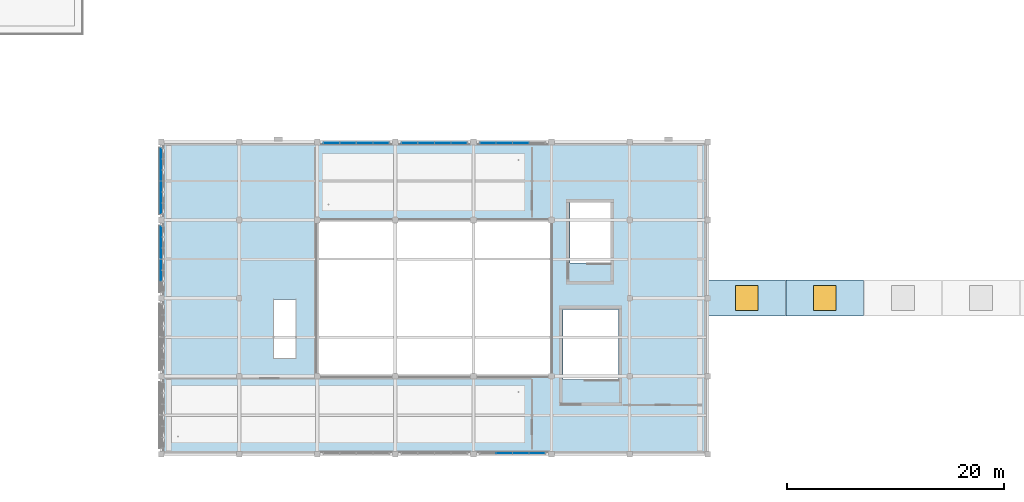
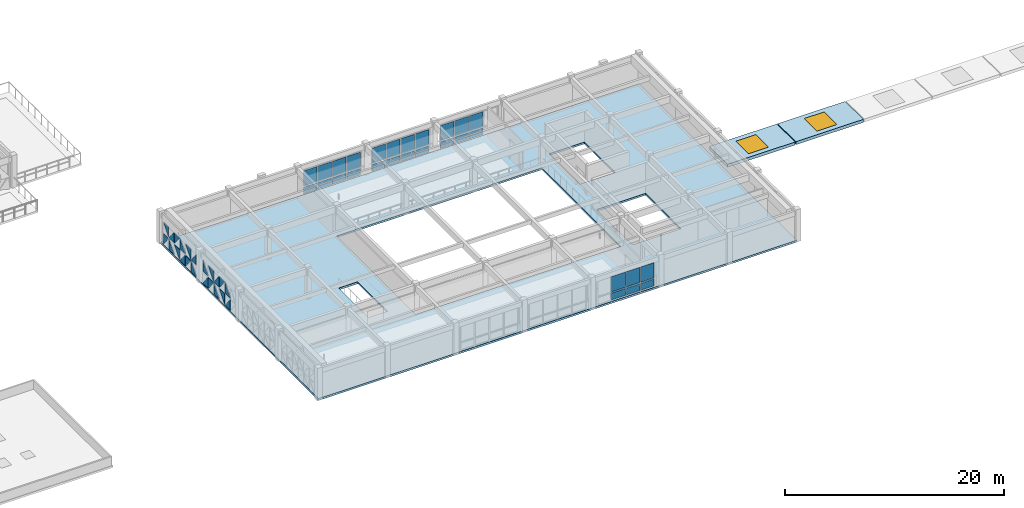
# One storey, part 31 of 74: 50 plates, 3 slabs, 2 windows, 2 openings, 6 elements without a shape of their own.
"""IFC4 building model written with IfcOpenShell, lengths in metres."""

import ifcopenshell
import ifcopenshell.guid

model = None  # the IFC model being written
_history = None  # IfcOwnerHistory: only IFC2X3 demands one
_inside = {}  # id of a spatial element -> (the spatial element, [elements in it])
_under = {}  # id of a project, library or spatial element -> (it, [spatial elements below it])
_declared = {}  # id of a project -> (the project, [libraries it declares])
_typed = {}  # id of a type object -> (the type object, [elements of that type])
_made_of = {}  # id of a material, layer set ... -> (it, [elements and type objects made of it])


def new_model(schema):
    """Start an empty IFC model of exactly this schema.

    Asked for "IFC4X3", IfcOpenShell would pick the latest addendum, in which some entities
    have other attributes; the version numbers below select the first issue.
    IFC2X3 requires an IfcOwnerHistory on every rooted entity: one is made here for all.
    """
    global model, _history
    if schema == "IFC4X3":
        model = ifcopenshell.file(schema_version=(4, 3, 0, 0))
    else:
        model = ifcopenshell.file(schema=schema)
    _inside.clear()
    _under.clear()
    _declared.clear()
    _typed.clear()
    _made_of.clear()
    _history = None
    if model.schema == "IFC2X3":
        org = make("IfcOrganization", Name="unknown")
        user = make(
            "IfcPersonAndOrganization",
            ThePerson=make("IfcPerson", FamilyName="unknown"),
            TheOrganization=org,
        )
        app = make(
            "IfcApplication",
            ApplicationDeveloper=org,
            Version="unknown",
            ApplicationFullName="unknown",
            ApplicationIdentifier="unknown",
        )
        _history = make(
            "IfcOwnerHistory",
            OwningUser=user,
            OwningApplication=app,
            ChangeAction="ADDED",
            CreationDate=0,
        )
    return model


def make(cls, **values):
    """One entity of the class cls with the attributes given. An attribute that is None is left unset."""
    return model.create_entity(
        cls, **{name: value for name, value in values.items() if value is not None}
    )


def rooted(cls, **values):
    """An entity with a GlobalId (a new one), such as an element, a storey or a relation."""
    return make(cls, GlobalId=ifcopenshell.guid.new(), OwnerHistory=_history, **values)


def si_unit(unit_type, name, prefix=None):
    """IfcSIUnit, for example si_unit("LENGTHUNIT", "METRE", prefix="MILLI")."""
    return make("IfcSIUnit", UnitType=unit_type, Prefix=prefix, Name=name)


def assignment(units):
    """IfcUnitAssignment: the units of a project."""
    return None if units is None else make("IfcUnitAssignment", Units=units)


def point(xyz):
    """IfcCartesianPoint."""
    return None if xyz is None else make("IfcCartesianPoint", Coordinates=xyz)


def direction(xyz):
    """IfcDirection."""
    return None if xyz is None else make("IfcDirection", DirectionRatios=xyz)


def frame(location, z_axis=None, x_axis=None):
    """IfcAxis2Placement3D, a coordinate frame: its origin and axes. An axis left out is left unset."""
    return make(
        "IfcAxis2Placement3D",
        Location=point(location),
        Axis=direction(z_axis),
        RefDirection=direction(x_axis),
    )


def frame_2d(location, x_axis=None):
    """IfcAxis2Placement2D, a coordinate frame in the plane: its origin and x axis."""
    return make(
        "IfcAxis2Placement2D", Location=point(location), RefDirection=direction(x_axis)
    )


def origin():
    """The frame at (0, 0, 0) with its axes left unset."""
    return frame((0.0, 0.0, 0.0))


def origin_2d():
    """The frame at (0, 0) in the plane with its x axis left unset."""
    return frame_2d((0.0, 0.0))


def place(relative_to, where):
    """IfcLocalPlacement: puts the frame where relative to a parent placement (None: the world)."""
    return make(
        "IfcLocalPlacement", PlacementRelTo=relative_to, RelativePlacement=where
    )


def context(
    kind, dimensions, precision=None, world=None, true_north=None, identifier=None
):
    """IfcGeometricRepresentationContext, for example the 3D "Model" context."""
    return make(
        "IfcGeometricRepresentationContext",
        ContextIdentifier=identifier,
        ContextType=kind,
        CoordinateSpaceDimension=dimensions,
        Precision=precision,
        WorldCoordinateSystem=world,
        TrueNorth=true_north,
    )


def subcontext(parent, identifier, kind, view, scale=None):
    """IfcGeometricRepresentationSubContext, for example "Body" below "Model"."""
    return make(
        "IfcGeometricRepresentationSubContext",
        ContextIdentifier=identifier,
        ContextType=kind,
        ParentContext=parent,
        TargetScale=scale,
        TargetView=view,
    )


def project(units=None, contexts=None):
    """IfcProject with its units and contexts."""
    return rooted(
        "IfcProject",
        Name="project",
        RepresentationContexts=contexts,
        UnitsInContext=assignment(units),
    )


def spatial(cls, under=None, at=None, **own):
    """A site, building, storey or space (cls), placed at a placement, below another one or the project."""
    s = rooted(cls, ObjectPlacement=at, **own)
    if under is not None:
        _under.setdefault(under.id(), (under, []))[1].append(s)
    return s


def polyline(points):
    """IfcPolyline through the points."""
    return make("IfcPolyline", Points=[point(p) for p in points])


def profile(cls, at=None, kind="AREA", **sizes):
    """A parametric profile (cls). Its sizes go by their IFC names, for example OverallWidth=200.0."""
    return make(cls, ProfileType=kind, Position=at, **sizes)


def rectangle(**sizes):
    """IfcRectangleProfileDef."""
    return profile("IfcRectangleProfileDef", **sizes)


def outline(outer, holes=None, kind="AREA"):
    """IfcArbitraryClosedProfileDef: a profile drawn as a closed curve; with holes, ...WithVoids."""
    if holes is None:
        return make("IfcArbitraryClosedProfileDef", ProfileType=kind, OuterCurve=outer)
    return make(
        "IfcArbitraryProfileDefWithVoids",
        ProfileType=kind,
        OuterCurve=outer,
        InnerCurves=holes,
    )


def extrude(swept, where, along, depth):
    """IfcExtrudedAreaSolid: the profile swept, set in the frame where, extruded along a direction by depth."""
    return make(
        "IfcExtrudedAreaSolid",
        SweptArea=swept,
        Position=where,
        ExtrudedDirection=direction(along),
        Depth=depth,
    )


def shape(context_of_items, identifier, shape_type, items):
    """IfcShapeRepresentation: the items that make up one representation, for example the "Body"."""
    return make(
        "IfcShapeRepresentation",
        ContextOfItems=context_of_items,
        RepresentationIdentifier=identifier,
        RepresentationType=shape_type,
        Items=items,
    )


def material(Name=None, Category=None):
    """IfcMaterial."""
    return make("IfcMaterial", Name=Name, Category=Category)


def layer(
    of_material, thickness, ventilated=None, Name=None, Category=None, Priority=None
):
    """IfcMaterialLayer: one layer of a wall or slab, of a material (None: an air gap)."""
    return make(
        "IfcMaterialLayer",
        Material=of_material,
        LayerThickness=thickness,
        IsVentilated=ventilated,
        Name=Name,
        Category=Category,
        Priority=Priority,
    )


def layer_set(layers, Name=None):
    """IfcMaterialLayerSet."""
    return make("IfcMaterialLayerSet", MaterialLayers=layers, LayerSetName=Name)


def made_of(thing, what):
    """Note that an element or type object is made of a material, layer set ...; save() writes the relation."""
    if what is not None:
        _made_of.setdefault(what.id(), (what, []))[1].append(thing)
    return thing


def type_object(cls, material=None, **own):
    """A type object (cls), such as IfcWallType, which elements share."""
    return made_of(rooted(cls, **own), material)


def element(
    cls,
    number,
    at=None,
    inside=None,
    cuts=None,
    type_object=None,
    material=None,
    context=None,
    identifier="Body",
    shape_type=None,
    held_by="IfcProductDefinitionShape",
    body=None,
    shapes=None,
    **own,
):
    """One element of the class cls, such as IfcWall. Its Tag is "e" and its number.

    at: its placement. inside: the storey or other place that contains it. cuts: it is an
    opening in that element (IfcRelVoidsElement). A single representation is given by context,
    identifier, shape_type and body (its items); several are given by shapes. held_by: the class
    of the entity that holds the representations. save() writes the other relations.
    """
    e = rooted(cls, Tag="e%d" % number, ObjectPlacement=at, **own)
    if body is not None:
        shapes = [shape(context, identifier, shape_type, body)]
    if shapes is not None:
        e.Representation = make(held_by, Representations=shapes)
    if inside is not None:
        _inside.setdefault(inside.id(), (inside, []))[1].append(e)
    if cuts is not None:
        rooted(
            "IfcRelVoidsElement", RelatingBuildingElement=cuts, RelatedOpeningElement=e
        )
    if type_object is not None:
        _typed.setdefault(type_object.id(), (type_object, []))[1].append(e)
    return made_of(e, material)


def fill(opening, filler):
    """IfcRelFillsElement: the door or window that sits in an opening."""
    return rooted(
        "IfcRelFillsElement",
        RelatingOpeningElement=opening,
        RelatedBuildingElement=filler,
    )


def aggregate(whole, parts):
    """IfcRelAggregates: a whole, such as a stair, and the parts it consists of."""
    return rooted("IfcRelAggregates", RelatingObject=whole, RelatedObjects=parts)


def save(model, path):
    """Write the relations noted so far, then the file.

    IfcRelAggregates (storeys below a building ...), IfcRelContainedInSpatialStructure (elements
    in a storey), IfcRelDefinesByType, IfcRelAssociatesMaterial and IfcRelDeclares: one each for
    every whole, place, type object, material and project.
    """
    for whole, parts in _under.values():
        aggregate(whole, parts)
    for where, things in _inside.values():
        rooted(
            "IfcRelContainedInSpatialStructure",
            RelatedElements=things,
            RelatingStructure=where,
        )
    for kind, things in _typed.values():
        rooted("IfcRelDefinesByType", RelatedObjects=things, RelatingType=kind)
    for what, things in _made_of.values():
        rooted("IfcRelAssociatesMaterial", RelatedObjects=things, RelatingMaterial=what)
    for by, libraries in _declared.values():
        rooted("IfcRelDeclares", RelatingContext=by, RelatedDefinitions=libraries)
    model.write(path)


model = new_model("IFC4")

# Units and contexts
model_context = context("Model", 3, precision=1e-05, world=origin(), true_north=direction((0.0, 1.0)))
body_context = subcontext(model_context, "Body", "Model", "MODEL_VIEW")
ifc_project = project(units=[si_unit("LENGTHUNIT", "METRE"), si_unit("AREAUNIT", "SQUARE_METRE"), si_unit("VOLUMEUNIT", "CUBIC_METRE"), si_unit("PLANEANGLEUNIT", "RADIAN"), si_unit("MASSUNIT", "GRAM", prefix="KILO")], contexts=[model_context])

# Site, building, storey
site_placement = place(None, origin())
site = spatial("IfcSite", under=ifc_project, at=site_placement, CompositionType="ELEMENT")
building_placement = place(site_placement, origin())
building = spatial("IfcBuilding", under=site, at=building_placement, Name="Alvorim Cloister Faculty of Sciences", CompositionType="ELEMENT")
storey_placement = place(building_placement, frame((0.0, 0.0, 15.75)))
storey = spatial("IfcBuildingStorey", under=building, at=storey_placement, Name="L04", CompositionType="ELEMENT", Elevation=15.75)

# Curtain wall, plates
ifc_material_1 = material(Name="Aluminium and Low-E Glass Curtain Wall", Category="aluminium")
curtain_wall_type_1 = type_object("IfcCurtainWallType", Name="CW-GLZ-6120x2850", PredefinedType="USERDEFINED", material=ifc_material_1)
curtain_wall_1_placement = place(storey_placement, origin())
curtain_wall_1 = element("IfcCurtainWall", 1, at=curtain_wall_1_placement, inside=storey, type_object=curtain_wall_type_1, Name="L04 Entrance and Atrium Glazed Curtain Wall CW-0203", ObjectType="UNITISED CURTAIN WALL", PredefinedType="USERDEFINED")
ifc_material_2 = material(Name="Double Low-E Laminated Glass", Category="glass")
ifc_layer_1 = layer(ifc_material_2, 0.031982421875)
ifc_layer_set_1 = layer_set([ifc_layer_1], Name="Double Low-E Laminated Glass")
plate_type_1 = type_object("IfcPlateType", Name="PN-GLZ-32", PredefinedType="CURTAIN_PANEL", material=ifc_layer_set_1)
plate_1_placement = place(storey_placement, frame((96.43505859375, 0.090087890625, 0.14013671875), z_axis=(0.0, 0.0, 1.0), x_axis=(1.0, 0.0, 0.0)))
plate_1 = element("IfcPlate", 2, at=plate_1_placement, type_object=plate_type_1, Name="CW-10 panel 2.1", PredefinedType="CURTAIN_PANEL", context=body_context, shape_type="SweptSolid", body=[
    extrude(rectangle(XDim=1.465087890625, YDim=0.031982421875, at=origin_2d()), origin(), (0.0, 0.0, 1.0), 0.739990234375),
])
plate_2_placement = place(storey_placement, frame((96.43505859375, 0.090087890625, 1.02001953125), z_axis=(0.0, 0.0, 1.0), x_axis=(1.0, 0.0, 0.0)))
plate_2 = element("IfcPlate", 3, at=plate_2_placement, type_object=plate_type_1, Name="CW-10 panel 2.2", PredefinedType="CURTAIN_PANEL", context=body_context, shape_type="SweptSolid", body=[
    extrude(rectangle(XDim=1.465087890625, YDim=0.031982421875, at=origin_2d()), origin(), (0.0, 0.0, 1.0), 1.68994140625),
])
plate_3_placement = place(storey_placement, frame((97.965087890625, 0.090087890625, 0.14013671875), z_axis=(0.0, 0.0, 1.0), x_axis=(1.0, 0.0, 0.0)))
plate_3 = element("IfcPlate", 4, at=plate_3_placement, type_object=plate_type_1, Name="CW-10 panel 3.1", PredefinedType="CURTAIN_PANEL", context=body_context, shape_type="SweptSolid", body=[
    extrude(rectangle(XDim=1.465087890625, YDim=0.031982421875, at=origin_2d()), origin(), (0.0, 0.0, 1.0), 0.739990234375),
])
plate_4_placement = place(storey_placement, frame((97.965087890625, 0.090087890625, 1.02001953125), z_axis=(0.0, 0.0, 1.0), x_axis=(1.0, 0.0, 0.0)))
plate_4 = element("IfcPlate", 5, at=plate_4_placement, type_object=plate_type_1, Name="CW-10 panel 3.2", PredefinedType="CURTAIN_PANEL", context=body_context, shape_type="SweptSolid", body=[
    extrude(rectangle(XDim=1.465087890625, YDim=0.031982421875, at=origin_2d()), origin(), (0.0, 0.0, 1.0), 1.68994140625),
])
plate_5_placement = place(storey_placement, frame((99.478759765625, 0.090087890625, 0.14013671875), z_axis=(0.0, 0.0, 1.0), x_axis=(1.0, 0.0, 0.0)))
plate_5 = element("IfcPlate", 6, at=plate_5_placement, type_object=plate_type_1, Name="CW-10 panel 4.1", PredefinedType="CURTAIN_PANEL", context=body_context, shape_type="SweptSolid", body=[
    extrude(rectangle(XDim=1.4326171875, YDim=0.031982421875, at=origin_2d()), origin(), (0.0, 0.0, 1.0), 0.739990234375),
])
plate_6_placement = place(storey_placement, frame((99.478759765625, 0.090087890625, 1.02001953125), z_axis=(0.0, 0.0, 1.0), x_axis=(1.0, 0.0, 0.0)))
plate_6 = element("IfcPlate", 7, at=plate_6_placement, type_object=plate_type_1, Name="CW-10 panel 4.2", PredefinedType="CURTAIN_PANEL", context=body_context, shape_type="SweptSolid", body=[
    extrude(rectangle(XDim=1.4326171875, YDim=0.031982421875, at=origin_2d()), origin(), (0.0, 0.0, 1.0), 1.68994140625),
])
aggregate(curtain_wall_1, [plate_1, plate_2, plate_3, plate_4, plate_5, plate_6])

curtain_wall_2_placement = place(storey_placement, origin())
curtain_wall_2 = element("IfcCurtainWall", 8, at=curtain_wall_2_placement, inside=storey, type_object=curtain_wall_type_1, Name="L04 Entrance and Atrium Glazed Curtain Wall CW-0210", ObjectType="UNITISED CURTAIN WALL", PredefinedType="USERDEFINED")
plate_7_placement = place(storey_placement, frame((80.521240234375, 28.7099609375, 0.14013671875), z_axis=(0.0, 0.0, 1.0), x_axis=(1.0, 0.0, 0.0)))
plate_7 = element("IfcPlate", 9, at=plate_7_placement, type_object=plate_type_1, Name="CW-10 panel 1.1", PredefinedType="CURTAIN_PANEL", context=body_context, shape_type="SweptSolid", body=[
    extrude(rectangle(XDim=1.4326171875, YDim=0.031982421875, at=origin_2d()), origin(), (0.0, 0.0, 1.0), 0.739990234375),
])
plate_8_placement = place(storey_placement, frame((80.521240234375, 28.7099609375, 1.02001953125), z_axis=(0.0, 0.0, 1.0), x_axis=(1.0, 0.0, 0.0)))
plate_8 = element("IfcPlate", 10, at=plate_8_placement, type_object=plate_type_1, Name="CW-10 panel 1.2", PredefinedType="CURTAIN_PANEL", context=body_context, shape_type="SweptSolid", body=[
    extrude(rectangle(XDim=1.4326171875, YDim=0.031982421875, at=origin_2d()), origin(), (0.0, 0.0, 1.0), 1.68994140625),
])
plate_9_placement = place(storey_placement, frame((82.034912109375, 28.7099609375, 0.14013671875), z_axis=(0.0, 0.0, 1.0), x_axis=(1.0, 0.0, 0.0)))
plate_9 = element("IfcPlate", 11, at=plate_9_placement, type_object=plate_type_1, Name="CW-10 panel 2.1", PredefinedType="CURTAIN_PANEL", context=body_context, shape_type="SweptSolid", body=[
    extrude(rectangle(XDim=1.465087890625, YDim=0.031982421875, at=origin_2d()), origin(), (0.0, 0.0, 1.0), 0.739990234375),
])
plate_10_placement = place(storey_placement, frame((82.034912109375, 28.7099609375, 1.02001953125), z_axis=(0.0, 0.0, 1.0), x_axis=(1.0, 0.0, 0.0)))
plate_10 = element("IfcPlate", 12, at=plate_10_placement, type_object=plate_type_1, Name="CW-10 panel 2.2", PredefinedType="CURTAIN_PANEL", context=body_context, shape_type="SweptSolid", body=[
    extrude(rectangle(XDim=1.465087890625, YDim=0.031982421875, at=origin_2d()), origin(), (0.0, 0.0, 1.0), 1.68994140625),
])
plate_11_placement = place(storey_placement, frame((83.56494140625, 28.7099609375, 0.14013671875), z_axis=(0.0, 0.0, 1.0), x_axis=(1.0, 0.0, 0.0)))
plate_11 = element("IfcPlate", 13, at=plate_11_placement, type_object=plate_type_1, Name="CW-10 panel 3.1", PredefinedType="CURTAIN_PANEL", context=body_context, shape_type="SweptSolid", body=[
    extrude(rectangle(XDim=1.465087890625, YDim=0.031982421875, at=origin_2d()), origin(), (0.0, 0.0, 1.0), 0.739990234375),
])
plate_12_placement = place(storey_placement, frame((83.56494140625, 28.7099609375, 1.02001953125), z_axis=(0.0, 0.0, 1.0), x_axis=(1.0, 0.0, 0.0)))
plate_12 = element("IfcPlate", 14, at=plate_12_placement, type_object=plate_type_1, Name="CW-10 panel 3.2", PredefinedType="CURTAIN_PANEL", context=body_context, shape_type="SweptSolid", body=[
    extrude(rectangle(XDim=1.465087890625, YDim=0.031982421875, at=origin_2d()), origin(), (0.0, 0.0, 1.0), 1.68994140625),
])
plate_13_placement = place(storey_placement, frame((85.078857421875, 28.7099609375, 0.14013671875), z_axis=(0.0, 0.0, 1.0), x_axis=(1.0, 0.0, 0.0)))
plate_13 = element("IfcPlate", 15, at=plate_13_placement, type_object=plate_type_1, Name="CW-10 panel 4.1", PredefinedType="CURTAIN_PANEL", context=body_context, shape_type="SweptSolid", body=[
    extrude(rectangle(XDim=1.4326171875, YDim=0.031982421875, at=origin_2d()), origin(), (0.0, 0.0, 1.0), 0.739990234375),
])
plate_14_placement = place(storey_placement, frame((85.078857421875, 28.7099609375, 1.02001953125), z_axis=(0.0, 0.0, 1.0), x_axis=(1.0, 0.0, 0.0)))
plate_14 = element("IfcPlate", 16, at=plate_14_placement, type_object=plate_type_1, Name="CW-10 panel 4.2", PredefinedType="CURTAIN_PANEL", context=body_context, shape_type="SweptSolid", body=[
    extrude(rectangle(XDim=1.4326171875, YDim=0.031982421875, at=origin_2d()), origin(), (0.0, 0.0, 1.0), 1.68994140625),
])
aggregate(curtain_wall_2, [plate_7, plate_8, plate_9, plate_10, plate_11, plate_12, plate_13, plate_14])

curtain_wall_3_placement = place(storey_placement, origin())
curtain_wall_3 = element("IfcCurtainWall", 17, at=curtain_wall_3_placement, inside=storey, type_object=curtain_wall_type_1, Name="L04 Entrance and Atrium Glazed Curtain Wall CW-0212", ObjectType="UNITISED CURTAIN WALL", PredefinedType="USERDEFINED")
plate_15_placement = place(storey_placement, frame((94.921142578125, 28.7099609375, 0.14013671875), z_axis=(0.0, 0.0, 1.0), x_axis=(1.0, 0.0, 0.0)))
plate_15 = element("IfcPlate", 18, at=plate_15_placement, type_object=plate_type_1, Name="CW-10 panel 1.1", PredefinedType="CURTAIN_PANEL", context=body_context, shape_type="SweptSolid", body=[
    extrude(rectangle(XDim=1.4326171875, YDim=0.031982421875, at=origin_2d()), origin(), (0.0, 0.0, 1.0), 0.739990234375),
])
plate_16_placement = place(storey_placement, frame((94.921142578125, 28.7099609375, 1.02001953125), z_axis=(0.0, 0.0, 1.0), x_axis=(1.0, 0.0, 0.0)))
plate_16 = element("IfcPlate", 19, at=plate_16_placement, type_object=plate_type_1, Name="CW-10 panel 1.2", PredefinedType="CURTAIN_PANEL", context=body_context, shape_type="SweptSolid", body=[
    extrude(rectangle(XDim=1.4326171875, YDim=0.031982421875, at=origin_2d()), origin(), (0.0, 0.0, 1.0), 1.68994140625),
])
plate_17_placement = place(storey_placement, frame((96.43505859375, 28.7099609375, 0.14013671875), z_axis=(0.0, 0.0, 1.0), x_axis=(1.0, 0.0, 0.0)))
plate_17 = element("IfcPlate", 20, at=plate_17_placement, type_object=plate_type_1, Name="CW-10 panel 2.1", PredefinedType="CURTAIN_PANEL", context=body_context, shape_type="SweptSolid", body=[
    extrude(rectangle(XDim=1.465087890625, YDim=0.031982421875, at=origin_2d()), origin(), (0.0, 0.0, 1.0), 0.739990234375),
])
plate_18_placement = place(storey_placement, frame((96.43505859375, 28.7099609375, 1.02001953125), z_axis=(0.0, 0.0, 1.0), x_axis=(1.0, 0.0, 0.0)))
plate_18 = element("IfcPlate", 21, at=plate_18_placement, type_object=plate_type_1, Name="CW-10 panel 2.2", PredefinedType="CURTAIN_PANEL", context=body_context, shape_type="SweptSolid", body=[
    extrude(rectangle(XDim=1.465087890625, YDim=0.031982421875, at=origin_2d()), origin(), (0.0, 0.0, 1.0), 1.68994140625),
])
plate_19_placement = place(storey_placement, frame((97.965087890625, 28.7099609375, 0.14013671875), z_axis=(0.0, 0.0, 1.0), x_axis=(1.0, 0.0, 0.0)))
plate_19 = element("IfcPlate", 22, at=plate_19_placement, type_object=plate_type_1, Name="CW-10 panel 3.1", PredefinedType="CURTAIN_PANEL", context=body_context, shape_type="SweptSolid", body=[
    extrude(rectangle(XDim=1.465087890625, YDim=0.031982421875, at=origin_2d()), origin(), (0.0, 0.0, 1.0), 0.739990234375),
])
plate_20_placement = place(storey_placement, frame((97.965087890625, 28.7099609375, 1.02001953125), z_axis=(0.0, 0.0, 1.0), x_axis=(1.0, 0.0, 0.0)))
plate_20 = element("IfcPlate", 23, at=plate_20_placement, type_object=plate_type_1, Name="CW-10 panel 3.2", PredefinedType="CURTAIN_PANEL", context=body_context, shape_type="SweptSolid", body=[
    extrude(rectangle(XDim=1.465087890625, YDim=0.031982421875, at=origin_2d()), origin(), (0.0, 0.0, 1.0), 1.68994140625),
])
aggregate(curtain_wall_3, [plate_15, plate_16, plate_17, plate_18, plate_19, plate_20])

curtain_wall_type_2 = type_object("IfcCurtainWallType", Name="CW-TRI-6120x2850", PredefinedType="USERDEFINED", material=ifc_material_1)
curtain_wall_4_placement = place(storey_placement, origin())
curtain_wall_4 = element("IfcCurtainWall", 24, at=curtain_wall_4_placement, inside=storey, type_object=curtain_wall_type_2, Name="L04 Diagonal Cassette Curtain Wall CW-0208", ObjectType="UNITISED CURTAIN WALL", PredefinedType="USERDEFINED")
ifc_layer_2 = layer(ifc_material_2, 0.0400390625)
ifc_layer_set_2 = layer_set([ifc_layer_2], Name="Double Low-E Laminated Glass")
plate_type_2 = type_object("IfcPlateType", Name="PN-GLZ-40", PredefinedType="CURTAIN_PANEL", material=ifc_layer_set_2)
plate_21_placement = place(storey_placement, frame((64.77490234375, 15.992431640625, 0.139892578125), z_axis=(0.0, 0.0, 1.0), x_axis=(0.0, 1.0, 0.0)))
plate_21 = element("IfcPlate", 25, at=plate_21_placement, type_object=plate_type_2, Name="Diagonal Glazed Triangle TRI-BL", PredefinedType="CURTAIN_PANEL", context=body_context, shape_type="SweptSolid", body=[
    extrude(outline(polyline([(0.0, 0.0), (0.953125, 0.0), (0.0, 1.213134765625), (0.0, 0.0)])), frame((0.0, 0.02490234375, 0.0), z_axis=(0.0, -1.0, 0.0), x_axis=(1.0, 0.0, 0.0)), (0.0, 0.0, 1.0), 0.050048828125),
])
plate_22_placement = place(storey_placement, frame((64.77490234375, 15.992431640625, 1.4951171875), z_axis=(0.0, 0.0, 1.0), x_axis=(0.0, 1.0, 0.0)))
plate_22 = element("IfcPlate", 26, at=plate_22_placement, type_object=plate_type_2, Name="Diagonal Glazed Triangle TRI-BR", PredefinedType="CURTAIN_PANEL", context=body_context, shape_type="SweptSolid", body=[
    extrude(outline(polyline([(0.001953125, 0.0), (0.955078125, 0.0), (0.955078125, 1.212890625), (0.001953125, 0.0)])), frame((0.0, 0.02490234375, 0.0), z_axis=(0.0, -1.0, 0.0), x_axis=(1.0, 0.0, 0.0)), (0.0, 0.0, 1.0), 0.050048828125),
])
plate_23_placement = place(storey_placement, frame((64.77490234375, 17.012451171875, 0.139892578125), z_axis=(0.0, 0.0, 1.0), x_axis=(0.0, 1.0, 0.0)))
plate_23 = element("IfcPlate", 27, at=plate_23_placement, type_object=plate_type_2, Name="Diagonal Glazed Triangle TRI-TL", PredefinedType="CURTAIN_PANEL", context=body_context, shape_type="SweptSolid", body=[
    extrude(outline(polyline([(0.953125, 1.215087890625), (0.0, 1.215087890625), (0.0, 0.001953125), (0.953125, 1.215087890625)])), frame((0.0, 0.02490234375, 0.0), z_axis=(0.0, -1.0, 0.0), x_axis=(1.0, 0.0, 0.0)), (0.0, 0.0, 1.0), 0.050048828125),
])
plate_24_placement = place(storey_placement, frame((64.77490234375, 17.012451171875, 1.4951171875), z_axis=(0.0, 0.0, 1.0), x_axis=(0.0, 1.0, 0.0)))
plate_24 = element("IfcPlate", 28, at=plate_24_placement, type_object=plate_type_2, Name="Diagonal Glazed Triangle TRI-TR", PredefinedType="CURTAIN_PANEL", context=body_context, shape_type="SweptSolid", body=[
    extrude(outline(polyline([(0.955078125, 0.001953125), (0.955078125, 1.21484375), (0.001953125, 1.21484375), (0.955078125, 0.001953125)])), frame((0.0, 0.02490234375, 0.0), z_axis=(0.0, -1.0, 0.0), x_axis=(1.0, 0.0, 0.0)), (0.0, 0.0, 1.0), 0.050048828125),
])
plate_25_placement = place(storey_placement, frame((64.77490234375, 18.032470703125, 0.139892578125), z_axis=(0.0, 0.0, 1.0), x_axis=(0.0, 1.0, 0.0)))
plate_25 = element("IfcPlate", 29, at=plate_25_placement, type_object=plate_type_2, Name="Diagonal Glazed Triangle TRI-BR", PredefinedType="CURTAIN_PANEL", context=body_context, shape_type="SweptSolid", body=[
    extrude(outline(polyline([(0.001953125, 0.0), (0.955078125, 0.0), (0.955078125, 1.213134765625), (0.001953125, 0.0)])), frame((0.0, 0.02490234375, 0.0), z_axis=(0.0, -1.0, 0.0), x_axis=(1.0, 0.0, 0.0)), (0.0, 0.0, 1.0), 0.050048828125),
])
plate_26_placement = place(storey_placement, frame((64.77490234375, 18.032470703125, 1.4951171875), z_axis=(0.0, 0.0, 1.0), x_axis=(0.0, 1.0, 0.0)))
plate_26 = element("IfcPlate", 30, at=plate_26_placement, type_object=plate_type_2, Name="Diagonal Glazed Triangle TRI-BL", PredefinedType="CURTAIN_PANEL", context=body_context, shape_type="SweptSolid", body=[
    extrude(outline(polyline([(0.0, 0.0), (0.953125, 0.0), (0.0, 1.212890625), (0.0, 0.0)])), frame((0.0, 0.02490234375, 0.0), z_axis=(0.0, -1.0, 0.0), x_axis=(1.0, 0.0, 0.0)), (0.0, 0.0, 1.0), 0.050048828125),
])
plate_27_placement = place(storey_placement, frame((64.77490234375, 19.052490234375, 0.139892578125), z_axis=(0.0, 0.0, 1.0), x_axis=(0.0, 1.0, 0.0)))
plate_27 = element("IfcPlate", 31, at=plate_27_placement, type_object=plate_type_2, Name="Diagonal Glazed Triangle TRI-TR", PredefinedType="CURTAIN_PANEL", context=body_context, shape_type="SweptSolid", body=[
    extrude(outline(polyline([(0.955078125, 0.001953125), (0.955078125, 1.215087890625), (0.001953125, 1.215087890625), (0.955078125, 0.001953125)])), frame((0.0, 0.02490234375, 0.0), z_axis=(0.0, -1.0, 0.0), x_axis=(1.0, 0.0, 0.0)), (0.0, 0.0, 1.0), 0.050048828125),
])
plate_28_placement = place(storey_placement, frame((64.77490234375, 19.052490234375, 1.4951171875), z_axis=(0.0, 0.0, 1.0), x_axis=(0.0, 1.0, 0.0)))
plate_28 = element("IfcPlate", 32, at=plate_28_placement, type_object=plate_type_2, Name="Diagonal Glazed Triangle TRI-TL", PredefinedType="CURTAIN_PANEL", context=body_context, shape_type="SweptSolid", body=[
    extrude(outline(polyline([(0.953125, 1.21484375), (0.0, 1.21484375), (0.0, 0.001953125), (0.953125, 1.21484375)])), frame((0.0, 0.02490234375, 0.0), z_axis=(0.0, -1.0, 0.0), x_axis=(1.0, 0.0, 0.0)), (0.0, 0.0, 1.0), 0.050048828125),
])
plate_29_placement = place(storey_placement, frame((64.77490234375, 20.072509765625, 0.139892578125), z_axis=(0.0, 0.0, 1.0), x_axis=(0.0, 1.0, 0.0)))
plate_29 = element("IfcPlate", 33, at=plate_29_placement, type_object=plate_type_2, Name="Diagonal Glazed Triangle TRI-BL", PredefinedType="CURTAIN_PANEL", context=body_context, shape_type="SweptSolid", body=[
    extrude(outline(polyline([(0.0, 0.0), (0.920654296875, 0.0), (0.0, 1.213134765625), (0.0, 0.0)])), frame((0.0, 0.02490234375, 0.0), z_axis=(0.0, -1.0, 0.0), x_axis=(1.0, 0.0, 0.0)), (0.0, 0.0, 1.0), 0.050048828125),
])
plate_30_placement = place(storey_placement, frame((64.77490234375, 20.072509765625, 1.4951171875), z_axis=(0.0, 0.0, 1.0), x_axis=(0.0, 1.0, 0.0)))
plate_30 = element("IfcPlate", 34, at=plate_30_placement, type_object=plate_type_2, Name="Diagonal Glazed Triangle TRI-BR", PredefinedType="CURTAIN_PANEL", context=body_context, shape_type="SweptSolid", body=[
    extrude(outline(polyline([(0.001953125, 0.0), (0.922607421875, 0.0), (0.922607421875, 1.212890625), (0.001953125, 0.0)])), frame((0.0, 0.02490234375, 0.0), z_axis=(0.0, -1.0, 0.0), x_axis=(1.0, 0.0, 0.0)), (0.0, 0.0, 1.0), 0.050048828125),
])
aggregate(curtain_wall_4, [plate_21, plate_22, plate_23, plate_24, plate_25, plate_26, plate_27, plate_28, plate_29, plate_30])

curtain_wall_type_3 = type_object("IfcCurtainWallType", Name="CW-TRI-6120x2746", PredefinedType="USERDEFINED", material=ifc_material_1)
curtain_wall_5_placement = place(storey_placement, origin())
curtain_wall_5 = element("IfcCurtainWall", 35, at=curtain_wall_5_placement, inside=storey, type_object=curtain_wall_type_3, Name="L04 Diagonal Cassette Curtain Wall CW-0209", ObjectType="UNITISED CURTAIN WALL", PredefinedType="USERDEFINED")
plate_31_placement = place(storey_placement, frame((64.77490234375, 22.205078125, 0.139892578125), z_axis=(0.0, 0.0, 1.0), x_axis=(0.0, 1.0, 0.0)))
plate_31 = element("IfcPlate", 36, at=plate_31_placement, type_object=plate_type_2, Name="Diagonal Glazed Triangle TRI-BR", PredefinedType="CURTAIN_PANEL", context=body_context, shape_type="SweptSolid", body=[
    extrude(outline(polyline([(0.001953125, 0.0), (0.922607421875, 0.0), (0.922607421875, 1.160888671875), (0.001953125, 0.0)])), frame((0.0, 0.02490234375, 0.0), z_axis=(0.0, -1.0, 0.0), x_axis=(1.0, 0.0, 0.0)), (0.0, 0.0, 1.0), 0.050048828125),
])
plate_32_placement = place(storey_placement, frame((64.77490234375, 22.205078125, 1.44287109375), z_axis=(0.0, 0.0, 1.0), x_axis=(0.0, 1.0, 0.0)))
plate_32 = element("IfcPlate", 37, at=plate_32_placement, type_object=plate_type_2, Name="Diagonal Glazed Triangle TRI-BL", PredefinedType="CURTAIN_PANEL", context=body_context, shape_type="SweptSolid", body=[
    extrude(outline(polyline([(0.0, 0.0), (0.920654296875, 0.0), (0.0, 1.160888671875), (0.0, 0.0)])), frame((0.0, 0.02490234375, 0.0), z_axis=(0.0, -1.0, 0.0), x_axis=(1.0, 0.0, 0.0)), (0.0, 0.0, 1.0), 0.050048828125),
])
plate_33_placement = place(storey_placement, frame((64.77490234375, 23.1923828125, 0.139892578125), z_axis=(0.0, 0.0, 1.0), x_axis=(0.0, 1.0, 0.0)))
plate_33 = element("IfcPlate", 38, at=plate_33_placement, type_object=plate_type_2, Name="Diagonal Glazed Triangle TRI-TR", PredefinedType="CURTAIN_PANEL", context=body_context, shape_type="SweptSolid", body=[
    extrude(outline(polyline([(0.955078125, 0.001953125), (0.955078125, 1.162841796875), (0.001953125, 1.162841796875), (0.955078125, 0.001953125)])), frame((0.0, 0.02490234375, 0.0), z_axis=(0.0, -1.0, 0.0), x_axis=(1.0, 0.0, 0.0)), (0.0, 0.0, 1.0), 0.050048828125),
])
plate_34_placement = place(storey_placement, frame((64.77490234375, 23.1923828125, 1.44287109375), z_axis=(0.0, 0.0, 1.0), x_axis=(0.0, 1.0, 0.0)))
plate_34 = element("IfcPlate", 39, at=plate_34_placement, type_object=plate_type_2, Name="Diagonal Glazed Triangle TRI-TL", PredefinedType="CURTAIN_PANEL", context=body_context, shape_type="SweptSolid", body=[
    extrude(outline(polyline([(0.953125, 1.162841796875), (0.0, 1.162841796875), (0.0, 0.001953125), (0.953125, 1.162841796875)])), frame((0.0, 0.02490234375, 0.0), z_axis=(0.0, -1.0, 0.0), x_axis=(1.0, 0.0, 0.0)), (0.0, 0.0, 1.0), 0.050048828125),
])
plate_35_placement = place(storey_placement, frame((64.77490234375, 24.21240234375, 0.139892578125), z_axis=(0.0, 0.0, 1.0), x_axis=(0.0, 1.0, 0.0)))
plate_35 = element("IfcPlate", 40, at=plate_35_placement, type_object=plate_type_2, Name="Diagonal Glazed Triangle TRI-BL", PredefinedType="CURTAIN_PANEL", context=body_context, shape_type="SweptSolid", body=[
    extrude(outline(polyline([(0.0, 0.0), (0.953125, 0.0), (0.0, 1.160888671875), (0.0, 0.0)])), frame((0.0, 0.02490234375, 0.0), z_axis=(0.0, -1.0, 0.0), x_axis=(1.0, 0.0, 0.0)), (0.0, 0.0, 1.0), 0.050048828125),
])
plate_36_placement = place(storey_placement, frame((64.77490234375, 24.21240234375, 1.44287109375), z_axis=(0.0, 0.0, 1.0), x_axis=(0.0, 1.0, 0.0)))
plate_36 = element("IfcPlate", 41, at=plate_36_placement, type_object=plate_type_2, Name="Diagonal Glazed Triangle TRI-BR", PredefinedType="CURTAIN_PANEL", context=body_context, shape_type="SweptSolid", body=[
    extrude(outline(polyline([(0.001953125, 0.0), (0.955078125, 0.0), (0.955078125, 1.160888671875), (0.001953125, 0.0)])), frame((0.0, 0.02490234375, 0.0), z_axis=(0.0, -1.0, 0.0), x_axis=(1.0, 0.0, 0.0)), (0.0, 0.0, 1.0), 0.050048828125),
])
plate_37_placement = place(storey_placement, frame((64.77490234375, 25.232421875, 0.139892578125), z_axis=(0.0, 0.0, 1.0), x_axis=(0.0, 1.0, 0.0)))
plate_37 = element("IfcPlate", 42, at=plate_37_placement, type_object=plate_type_2, Name="Diagonal Glazed Triangle TRI-TL", PredefinedType="CURTAIN_PANEL", context=body_context, shape_type="SweptSolid", body=[
    extrude(outline(polyline([(0.953125, 1.162841796875), (0.0, 1.162841796875), (0.0, 0.001953125), (0.953125, 1.162841796875)])), frame((0.0, 0.02490234375, 0.0), z_axis=(0.0, -1.0, 0.0), x_axis=(1.0, 0.0, 0.0)), (0.0, 0.0, 1.0), 0.050048828125),
])
plate_38_placement = place(storey_placement, frame((64.77490234375, 25.232421875, 1.44287109375), z_axis=(0.0, 0.0, 1.0), x_axis=(0.0, 1.0, 0.0)))
plate_38 = element("IfcPlate", 43, at=plate_38_placement, type_object=plate_type_2, Name="Diagonal Glazed Triangle TRI-TR", PredefinedType="CURTAIN_PANEL", context=body_context, shape_type="SweptSolid", body=[
    extrude(outline(polyline([(0.955078125, 0.001953125), (0.955078125, 1.162841796875), (0.001953125, 1.162841796875), (0.955078125, 0.001953125)])), frame((0.0, 0.02490234375, 0.0), z_axis=(0.0, -1.0, 0.0), x_axis=(1.0, 0.0, 0.0)), (0.0, 0.0, 1.0), 0.050048828125),
])
plate_39_placement = place(storey_placement, frame((64.77490234375, 26.25244140625, 0.139892578125), z_axis=(0.0, 0.0, 1.0), x_axis=(0.0, 1.0, 0.0)))
plate_39 = element("IfcPlate", 44, at=plate_39_placement, type_object=plate_type_2, Name="Diagonal Glazed Triangle TRI-BR", PredefinedType="CURTAIN_PANEL", context=body_context, shape_type="SweptSolid", body=[
    extrude(outline(polyline([(0.001953125, 0.0), (0.955078125, 0.0), (0.955078125, 1.160888671875), (0.001953125, 0.0)])), frame((0.0, 0.02490234375, 0.0), z_axis=(0.0, -1.0, 0.0), x_axis=(1.0, 0.0, 0.0)), (0.0, 0.0, 1.0), 0.050048828125),
])
plate_40_placement = place(storey_placement, frame((64.77490234375, 26.25244140625, 1.44287109375), z_axis=(0.0, 0.0, 1.0), x_axis=(0.0, 1.0, 0.0)))
plate_40 = element("IfcPlate", 45, at=plate_40_placement, type_object=plate_type_2, Name="Diagonal Glazed Triangle TRI-BL", PredefinedType="CURTAIN_PANEL", context=body_context, shape_type="SweptSolid", body=[
    extrude(outline(polyline([(0.0, 0.0), (0.953125, 0.0), (0.0, 1.160888671875), (0.0, 0.0)])), frame((0.0, 0.02490234375, 0.0), z_axis=(0.0, -1.0, 0.0), x_axis=(1.0, 0.0, 0.0)), (0.0, 0.0, 1.0), 0.050048828125),
])
plate_41_placement = place(storey_placement, frame((64.77490234375, 27.2724609375, 0.139892578125), z_axis=(0.0, 0.0, 1.0), x_axis=(0.0, 1.0, 0.0)))
plate_41 = element("IfcPlate", 46, at=plate_41_placement, type_object=plate_type_2, Name="Diagonal Glazed Triangle TRI-TR", PredefinedType="CURTAIN_PANEL", context=body_context, shape_type="SweptSolid", body=[
    extrude(outline(polyline([(0.922607421875, 0.001953125), (0.922607421875, 1.162841796875), (0.001953125, 1.162841796875), (0.922607421875, 0.001953125)])), frame((0.0, 0.02490234375, 0.0), z_axis=(0.0, -1.0, 0.0), x_axis=(1.0, 0.0, 0.0)), (0.0, 0.0, 1.0), 0.050048828125),
])
plate_42_placement = place(storey_placement, frame((64.77490234375, 27.2724609375, 1.44287109375), z_axis=(0.0, 0.0, 1.0), x_axis=(0.0, 1.0, 0.0)))
plate_42 = element("IfcPlate", 47, at=plate_42_placement, type_object=plate_type_2, Name="Diagonal Glazed Triangle TRI-TL", PredefinedType="CURTAIN_PANEL", context=body_context, shape_type="SweptSolid", body=[
    extrude(outline(polyline([(0.920654296875, 1.162841796875), (0.0, 1.162841796875), (0.0, 0.001953125), (0.920654296875, 1.162841796875)])), frame((0.0, 0.02490234375, 0.0), z_axis=(0.0, -1.0, 0.0), x_axis=(1.0, 0.0, 0.0)), (0.0, 0.0, 1.0), 0.050048828125),
])
aggregate(curtain_wall_5, [plate_31, plate_32, plate_33, plate_34, plate_35, plate_36, plate_37, plate_38, plate_39, plate_40, plate_41, plate_42])

curtain_wall_6_placement = place(storey_placement, origin())
curtain_wall_6 = element("IfcCurtainWall", 48, at=curtain_wall_6_placement, inside=storey, type_object=curtain_wall_type_1, Name="L04 Entrance and Atrium Glazed Curtain Wall CW-0211", ObjectType="UNITISED CURTAIN WALL", PredefinedType="USERDEFINED")
plate_43_placement = place(storey_placement, frame((87.72119140625, 28.7099609375, 0.14013671875), z_axis=(0.0, 0.0, 1.0), x_axis=(1.0, 0.0, 0.0)))
plate_43 = element("IfcPlate", 49, at=plate_43_placement, type_object=plate_type_2, Name="CW-10 panel 1.1", PredefinedType="CURTAIN_PANEL", context=body_context, shape_type="SweptSolid", body=[
    extrude(rectangle(XDim=1.4326171875, YDim=0.0400390625, at=origin_2d()), origin(), (0.0, 0.0, 1.0), 0.739990234375),
])
plate_44_placement = place(storey_placement, frame((87.72119140625, 28.7099609375, 1.02001953125), z_axis=(0.0, 0.0, 1.0), x_axis=(1.0, 0.0, 0.0)))
plate_44 = element("IfcPlate", 50, at=plate_44_placement, type_object=plate_type_2, Name="CW-10 panel 1.2", PredefinedType="CURTAIN_PANEL", context=body_context, shape_type="SweptSolid", body=[
    extrude(rectangle(XDim=1.4326171875, YDim=0.0400390625, at=origin_2d()), origin(), (0.0, 0.0, 1.0), 1.68994140625),
])
plate_45_placement = place(storey_placement, frame((89.235107421875, 28.7099609375, 0.14013671875), z_axis=(0.0, 0.0, 1.0), x_axis=(1.0, 0.0, 0.0)))
plate_45 = element("IfcPlate", 51, at=plate_45_placement, type_object=plate_type_2, Name="CW-10 panel 2.1", PredefinedType="CURTAIN_PANEL", context=body_context, shape_type="SweptSolid", body=[
    extrude(rectangle(XDim=1.465087890625, YDim=0.0400390625, at=origin_2d()), origin(), (0.0, 0.0, 1.0), 0.739990234375),
])
plate_46_placement = place(storey_placement, frame((89.235107421875, 28.7099609375, 1.02001953125), z_axis=(0.0, 0.0, 1.0), x_axis=(1.0, 0.0, 0.0)))
plate_46 = element("IfcPlate", 52, at=plate_46_placement, type_object=plate_type_2, Name="CW-10 panel 2.2", PredefinedType="CURTAIN_PANEL", context=body_context, shape_type="SweptSolid", body=[
    extrude(rectangle(XDim=1.465087890625, YDim=0.0400390625, at=origin_2d()), origin(), (0.0, 0.0, 1.0), 1.68994140625),
])
plate_47_placement = place(storey_placement, frame((90.764892578125, 28.7099609375, 0.14013671875), z_axis=(0.0, 0.0, 1.0), x_axis=(1.0, 0.0, 0.0)))
plate_47 = element("IfcPlate", 53, at=plate_47_placement, type_object=plate_type_2, Name="CW-10 panel 3.1", PredefinedType="CURTAIN_PANEL", context=body_context, shape_type="SweptSolid", body=[
    extrude(rectangle(XDim=1.465087890625, YDim=0.0400390625, at=origin_2d()), origin(), (0.0, 0.0, 1.0), 0.739990234375),
])
plate_48_placement = place(storey_placement, frame((90.764892578125, 28.7099609375, 1.02001953125), z_axis=(0.0, 0.0, 1.0), x_axis=(1.0, 0.0, 0.0)))
plate_48 = element("IfcPlate", 54, at=plate_48_placement, type_object=plate_type_2, Name="CW-10 panel 3.2", PredefinedType="CURTAIN_PANEL", context=body_context, shape_type="SweptSolid", body=[
    extrude(rectangle(XDim=1.465087890625, YDim=0.0400390625, at=origin_2d()), origin(), (0.0, 0.0, 1.0), 1.68994140625),
])
plate_49_placement = place(storey_placement, frame((92.27880859375, 28.7099609375, 0.14013671875), z_axis=(0.0, 0.0, 1.0), x_axis=(1.0, 0.0, 0.0)))
plate_49 = element("IfcPlate", 55, at=plate_49_placement, type_object=plate_type_2, Name="CW-10 panel 4.1", PredefinedType="CURTAIN_PANEL", context=body_context, shape_type="SweptSolid", body=[
    extrude(rectangle(XDim=1.4326171875, YDim=0.0400390625, at=origin_2d()), origin(), (0.0, 0.0, 1.0), 0.739990234375),
])
plate_50_placement = place(storey_placement, frame((92.27880859375, 28.7099609375, 1.02001953125), z_axis=(0.0, 0.0, 1.0), x_axis=(1.0, 0.0, 0.0)))
plate_50 = element("IfcPlate", 56, at=plate_50_placement, type_object=plate_type_2, Name="CW-10 panel 4.2", PredefinedType="CURTAIN_PANEL", context=body_context, shape_type="SweptSolid", body=[
    extrude(rectangle(XDim=1.4326171875, YDim=0.0400390625, at=origin_2d()), origin(), (0.0, 0.0, 1.0), 1.68994140625),
])
aggregate(curtain_wall_6, [plate_43, plate_44, plate_45, plate_46, plate_47, plate_48, plate_49, plate_50])

# Slab
ifc_material_3 = material(Name="Cross-Laminated Timber CLT C24", Category="wood")
ifc_layer_3 = layer(ifc_material_3, 0.2099609375)
ifc_layer_set_3 = layer_set([ifc_layer_3], Name="Cross-Laminated Timber CLT C24")
slab_type_1 = type_object("IfcSlabType", Name="SL-CLT-210", PredefinedType="FLOOR", material=ifc_layer_set_3)
slab_1_placement = place(storey_placement, frame((0.0, 0.0, -0.2099609375)))
element("IfcSlab", 57, at=slab_1_placement, inside=storey, type_object=slab_type_1, Name="L04 V3 Structural Slab 30", PredefinedType="FLOOR", context=body_context, shape_type="SweptSolid", body=[
    extrude(outline(polyline([(64.804931640625, 0.0048828125), (64.804931640625, 28.794921875), (115.195068359375, 28.794921875), (115.195068359375, 0.0048828125), (64.804931640625, 0.0048828125)]), holes=[polyline([(106.9599609375, 13.35009765625), (101.840087890625, 13.35009765625), (101.840087890625, 6.8798828125), (106.9599609375, 6.8798828125), (106.9599609375, 13.35009765625)]), polyline([(77.199951171875, 14.2900390625), (75.199951171875, 14.2900390625), (75.199951171875, 8.89990234375), (77.199951171875, 8.89990234375), (77.199951171875, 14.2900390625)]), polyline([(100.800048828125, 21.60009765625), (79.199951171875, 21.60009765625), (79.199951171875, 7.199951171875), (100.800048828125, 7.199951171875), (100.800048828125, 21.60009765625)]), polyline([(106.219970703125, 23.199951171875), (102.5, 23.199951171875), (102.5, 17.6298828125), (106.219970703125, 17.6298828125), (106.219970703125, 23.199951171875)])]), origin(), (0.0, 0.0, 1.0), 0.2099609375),
])

# Slab, opening, window
ifc_material_4 = material(Name="Concrete C40", Category="concrete")
ifc_layer_4 = layer(ifc_material_4, 0.340087890625)
ifc_layer_set_4 = layer_set([ifc_layer_4], Name="Concrete C40")
slab_type_2 = type_object("IfcSlabType", Name="SL-ROOF-340", PredefinedType="ROOF", material=ifc_layer_set_4)
slab_2_placement = place(storey_placement, frame((0.0, 0.0, 0.3642578125)))
slab_2 = element("IfcSlab", 58, at=slab_2_placement, inside=storey, type_object=slab_type_2, Name="SH-V1 Skylight Lantern Crest Deck 1", PredefinedType="ROOF", context=body_context, shape_type="SweptSolid", body=[
    extrude(outline(polyline([(115.239990234375, 12.739990234375), (122.360107421875, 12.739990234375), (122.360107421875, 16.06005859375), (115.239990234375, 16.06005859375), (115.239990234375, 12.739990234375)])), origin(), (0.0, 0.0, 1.0), 0.33984375),
])
opening_1_placement = place(slab_2_placement, frame((118.800048828125, 14.39990234375, -0.011962890625)))
opening_1 = element("IfcOpeningElement", 59, at=opening_1_placement, cuts=slab_2, Name="Opening SK-13", PredefinedType="OPENING", context=body_context, shape_type="SweptSolid", body=[
    extrude(rectangle(XDim=2.10009765625, YDim=2.300048828125, at=origin_2d()), origin(), (0.0, 0.0, 1.0), 0.36376953125),
])
window_type = type_object("IfcWindowType", Name="WN-SKY-2100x2300", PartitioningType="SINGLE_PANEL", PredefinedType="SKYLIGHT", material=ifc_material_2)
window_1_placement = place(slab_2_placement, frame((118.800048828125, 14.39990234375, 0.289794921875)))
window_1 = element("IfcWindow", 60, at=window_1_placement, inside=storey, type_object=window_type, Name="Lantern Crest Skylight SK-13", OverallHeight=2.300048828125, OverallWidth=2.10009765625, PartitioningType="SINGLE_PANEL", PredefinedType="SKYLIGHT", context=body_context, shape_type="SweptSolid", body=[
    extrude(rectangle(XDim=2.10009765625, YDim=2.300048828125, at=origin_2d()), origin(), (0.0, 0.0, 1.0), 0.050048828125),
])
fill(opening_1, window_1)

slab_3_placement = place(storey_placement, frame((0.0, 0.0, 0.3642578125)))
slab_3 = element("IfcSlab", 61, at=slab_3_placement, inside=storey, type_object=slab_type_2, Name="SH-V1 Skylight Lantern Crest Deck 2", PredefinedType="ROOF", context=body_context, shape_type="SweptSolid", body=[
    extrude(outline(polyline([(122.43994140625, 12.739990234375), (129.56005859375, 12.739990234375), (129.56005859375, 16.06005859375), (122.43994140625, 16.06005859375), (122.43994140625, 12.739990234375)])), origin(), (0.0, 0.0, 1.0), 0.33984375),
])
opening_2_placement = place(slab_3_placement, frame((126.0, 14.39990234375, -0.011962890625)))
opening_2 = element("IfcOpeningElement", 62, at=opening_2_placement, cuts=slab_3, Name="Opening SK-14", PredefinedType="OPENING", context=body_context, shape_type="SweptSolid", body=[
    extrude(rectangle(XDim=2.10009765625, YDim=2.300048828125, at=origin_2d()), origin(), (0.0, 0.0, 1.0), 0.36376953125),
])
window_2_placement = place(slab_3_placement, frame((126.0, 14.39990234375, 0.289794921875)))
window_2 = element("IfcWindow", 63, at=window_2_placement, inside=storey, type_object=window_type, Name="Lantern Crest Skylight SK-14", OverallHeight=2.300048828125, OverallWidth=2.10009765625, PartitioningType="SINGLE_PANEL", PredefinedType="SKYLIGHT", context=body_context, shape_type="SweptSolid", body=[
    extrude(rectangle(XDim=2.10009765625, YDim=2.300048828125, at=origin_2d()), origin(), (0.0, 0.0, 1.0), 0.050048828125),
])
fill(opening_2, window_2)

save(model, "model.ifc")
